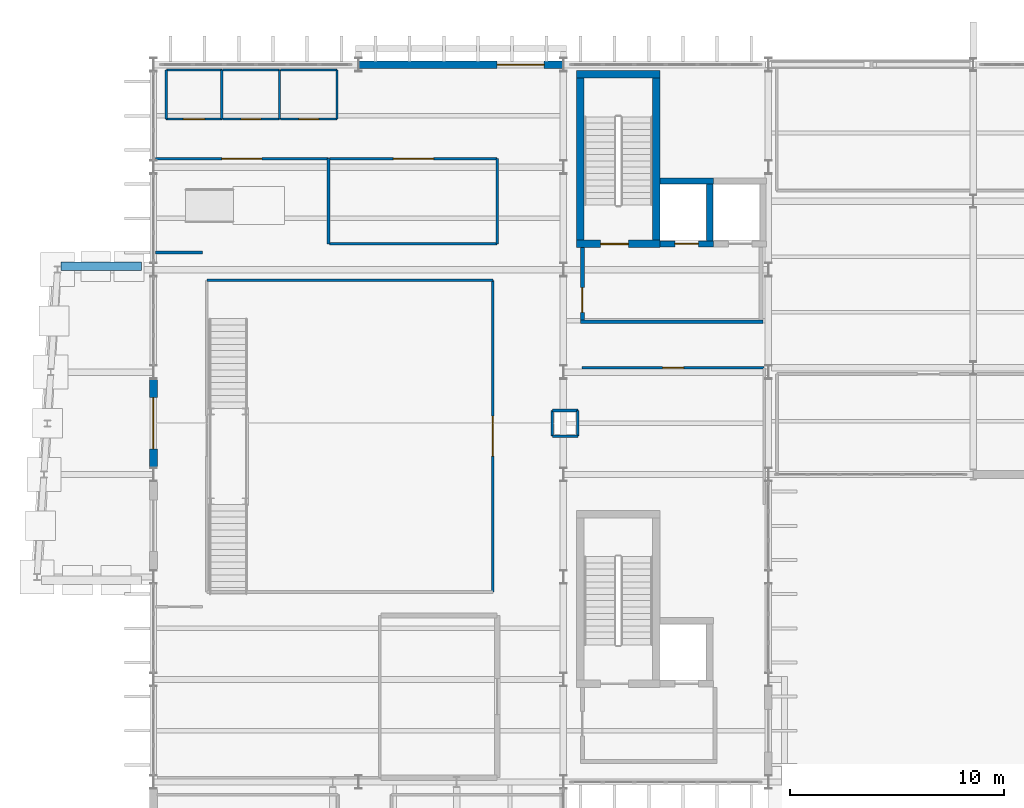
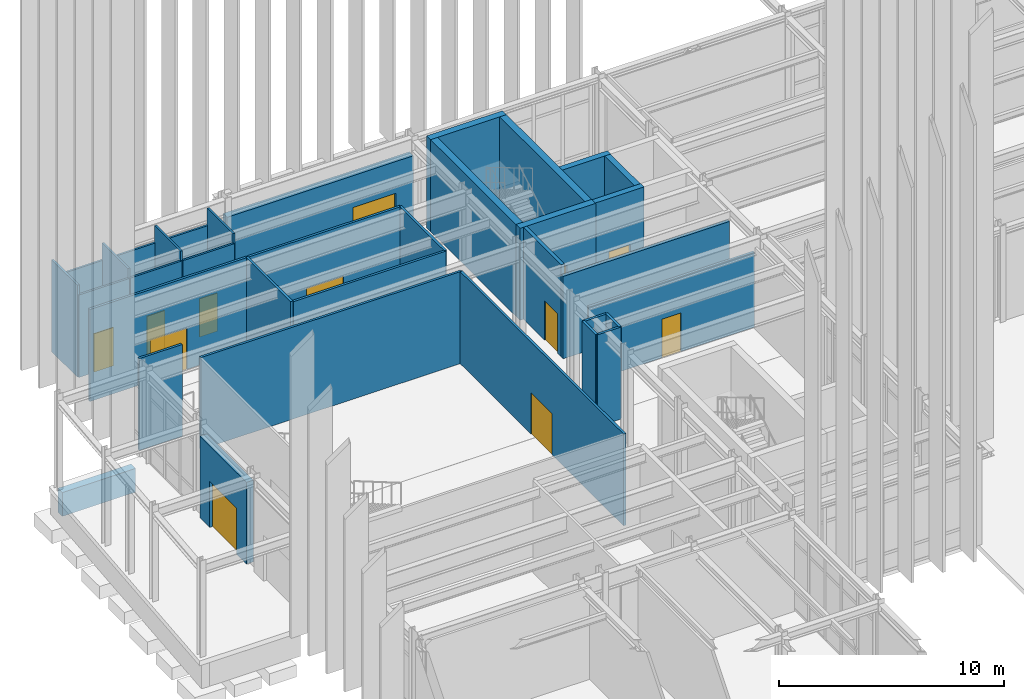
# One storey, part 91 of 109: 35 walls, 12 doors, 12 openings.
"""IFC4 building model written with IfcOpenShell, lengths in metres."""

from ifc_helpers import new_model, si_unit, direction, frame, frame_2d, origin, place, context, subcontext, project, spatial, rectangle, extrude, material, layer, layer_set, type_object, element, fill, save


model = new_model("IFC4")

# Units and contexts
model_context = context("Model", 3, precision=1e-05, world=origin(), true_north=direction((0.0, 1.0)))
body_context = subcontext(model_context, "Body", "Model", "MODEL_VIEW")
ifc_project = project(units=[si_unit("LENGTHUNIT", "METRE"), si_unit("AREAUNIT", "SQUARE_METRE"), si_unit("VOLUMEUNIT", "CUBIC_METRE"), si_unit("PLANEANGLEUNIT", "RADIAN"), si_unit("MASSUNIT", "GRAM", prefix="KILO")], contexts=[model_context])

# Site, building, storey
site_placement = place(None, origin())
site = spatial("IfcSite", under=ifc_project, at=site_placement, CompositionType="ELEMENT")
building_placement = place(site_placement, origin())
building = spatial("IfcBuilding", under=site, at=building_placement, Name="Nordkorset Police Headquarters", CompositionType="ELEMENT")
storey_placement = place(building_placement, origin())
storey = spatial("IfcBuildingStorey", under=building, at=storey_placement, Name="L00", CompositionType="ELEMENT", Elevation=0.0)

# Wall
ifc_material_1 = material(Name="Gypsum board", Category="gypsum")
ifc_layer_1 = layer(ifc_material_1, 0.179931640625, Name="Gypsum board")
ifc_layer_set_1 = layer_set([ifc_layer_1], Name="Gypsum board")
wall_type_1 = type_object("IfcWallType", Name="Wall_Comp_180", PredefinedType="PARTITIONING", material=ifc_layer_set_1)
wall_1_placement = place(storey_placement, frame((20.0, 104.760009765625, 0.0), z_axis=(0.0, 0.0, 1.0), x_axis=(1.0, 0.0, 0.0)))
element("IfcWall", 1, at=wall_1_placement, inside=storey, type_object=wall_type_1, Name="Firefighting Lobby EI 60 Wall K1 L00 S", PredefinedType="PARTITIONING", context=body_context, shape_type="SweptSolid", body=[
    extrude(rectangle(XDim=8.550048828125, YDim=0.179931640625, at=frame_2d((4.27490234375, 0.0))), origin(), (0.0, 0.0, 1.0), 4.47998046875),
])

# Wall, opening, door
wall_2_placement = place(storey_placement, frame((20.090087890625, 104.85009765625, 0.0), z_axis=(0.0, 0.0, 1.0), x_axis=(0.0, 1.0, 0.0)))
wall_2 = element("IfcWall", 2, at=wall_2_placement, inside=storey, type_object=wall_type_1, Name="Firefighting Lobby EI 60 Wall K1 L00 W", PredefinedType="PARTITIONING", context=body_context, shape_type="SweptSolid", body=[
    extrude(rectangle(XDim=3.375, YDim=0.179931640625, at=frame_2d((1.6875, 0.0))), origin(), (0.0, 0.0, 1.0), 5.0),
])
opening_1_placement = place(wall_2_placement, frame((0.35009765625, 0.0, 0.0)))
opening_1 = element("IfcOpeningElement", 3, at=opening_1_placement, cuts=wall_2, Name="Opening DR-01", PredefinedType="OPENING", context=body_context, shape_type="SweptSolid", body=[
    extrude(rectangle(XDim=1.14990234375, YDim=2.14990234375, at=frame_2d((0.574951171875, 1.074951171875))), frame((0.0, 0.10009765625, 0.0), z_axis=(0.0, -1.0, 0.0), x_axis=(1.0, 0.0, 0.0)), (0.0, 0.0, 1.0), 0.199951171875),
])
ifc_material_2 = material(Name="Steel S355J2", Category="steel")
door_type_1 = type_object("IfcDoorType", Name="Door_LobbySingle_1150x2150", OperationType="NOTDEFINED", PredefinedType="DOOR", material=ifc_material_2)
door_1_placement = place(opening_1_placement, origin())
door_1 = element("IfcDoor", 4, at=door_1_placement, inside=storey, type_object=door_type_1, Name="Firefighting Lobby Smoke Door K1 L00 W", OperationType="SINGLE_SWING_LEFT", OverallHeight=2.14990234375, OverallWidth=1.14990234375, PredefinedType="DOOR", context=body_context, shape_type="SweptSolid", body=[
    extrude(rectangle(XDim=1.14990234375, YDim=2.14990234375, at=frame_2d((0.574951171875, 1.074951171875))), frame((0.0, 0.02490234375, 0.0), z_axis=(0.0, -1.0, 0.0), x_axis=(1.0, 0.0, 0.0)), (0.0, 0.0, 1.0), 0.050048828125),
])
fill(opening_1, door_1)

ifc_material_3 = material(Name="Concrete C35/45", Category="concrete")
ifc_layer_2 = layer(ifc_material_3, 0.35009765625, Name="Concrete C35/45")
ifc_layer_set_2 = layer_set([ifc_layer_2], Name="Concrete C35/45")
wall_type_2 = type_object("IfcWallType", Name="Wall_CoreShear_350", PredefinedType="SHEAR", material=ifc_layer_set_2)
wall_3_placement = place(storey_placement, frame((19.824951171875, 108.39990234375, 0.0), z_axis=(0.0, 0.0, 1.0), x_axis=(1.0, 0.0, 0.0)))
wall_3 = element("IfcWall", 5, at=wall_3_placement, inside=storey, type_object=wall_type_2, Name="Core K1 Stair Shaft South Shear Wall L00", PredefinedType="SHEAR", context=body_context, shape_type="SweptSolid", body=[
    extrude(rectangle(XDim=3.900146484375, YDim=0.35009765625, at=frame_2d((1.9501953125, 0.0))), origin(), (0.0, 0.0, 1.0), 5.0),
])
opening_2_placement = place(wall_3_placement, frame((1.125, 0.0, 0.0)))
opening_2 = element("IfcOpeningElement", 6, at=opening_2_placement, cuts=wall_3, Name="Opening DR-20", PredefinedType="OPENING", context=body_context, shape_type="SweptSolid", body=[
    extrude(rectangle(XDim=1.300048828125, YDim=2.14990234375, at=frame_2d((0.64990234375, 1.074951171875))), frame((0.0, 0.18505859375, 0.0), z_axis=(0.0, -1.0, 0.0), x_axis=(1.0, 0.0, 0.0)), (0.0, 0.0, 1.0), 0.3701171875),
])
ifc_material_4 = material(Name="Steel S355J2", Category="steel")
door_type_2 = type_object("IfcDoorType", Name="Door_Stair_1300x2150", OperationType="NOTDEFINED", PredefinedType="DOOR", material=ifc_material_4)
door_2_placement = place(opening_2_placement, origin())
door_2 = element("IfcDoor", 7, at=door_2_placement, inside=storey, type_object=door_type_2, Name="Protected Stair Fire Door ST-01 L00", OperationType="SINGLE_SWING_LEFT", OverallHeight=2.14990234375, OverallWidth=1.300048828125, PredefinedType="DOOR", context=body_context, shape_type="SweptSolid", body=[
    extrude(rectangle(XDim=1.300048828125, YDim=2.14990234375, at=frame_2d((0.64990234375, 1.074951171875))), frame((0.0, 0.02490234375, 0.0), z_axis=(0.0, -1.0, 0.0), x_axis=(1.0, 0.0, 0.0)), (0.0, 0.0, 1.0), 0.050048828125),
])
fill(opening_2, door_2)

# Walls
wall_4_placement = place(storey_placement, frame((19.824951171875, 116.35009765625, 0.0), z_axis=(0.0, 0.0, 1.0), x_axis=(1.0, 0.0, 0.0)))
element("IfcWall", 8, at=wall_4_placement, inside=storey, type_object=wall_type_2, Name="Core K1 Stair Shaft North Shear Wall L00", PredefinedType="SHEAR", context=body_context, shape_type="SweptSolid", body=[
    extrude(rectangle(XDim=3.900146484375, YDim=0.35009765625, at=frame_2d((1.9501953125, 0.0))), origin(), (0.0, 0.0, 1.0), 5.0),
])
for number, where, z_axis, x_axis, name in (
    (9, (20.0, 108.574951171875, 0.0), (0.0, 0.0, 1.0), (0.0, 1.0, 0.0), "Core K1 Stair Shaft West Shear Wall L00"),
    (10, (23.550048828125, 108.574951171875, 0.0), (0.0, 0.0, 1.0), (0.0, 1.0, 0.0), "Core K1 Stair Shaft East Shear Wall L00"),
):
    element("IfcWall", number, at=place(storey_placement, frame(where, z_axis=z_axis, x_axis=x_axis)), inside=storey, type_object=wall_type_2, Name=name, PredefinedType="SHEAR", context=body_context, shape_type="SweptSolid", body=[
        extrude(rectangle(XDim=7.60009765625, YDim=0.35009765625, at=frame_2d((3.800048828125, 0.0))), origin(), (0.0, 0.0, 1.0), 5.0),
    ])

# Wall, opening, door
ifc_material_5 = material(Name="Precast concrete C40/50", Category="concrete")
ifc_layer_3 = layer(ifc_material_5, 0.360107421875, Name="Precast concrete C40/50")
ifc_layer_set_3 = layer_set([ifc_layer_3], Name="Precast concrete C40/50")
wall_type_3 = type_object("IfcWallType", Name="Wall_ExtPrecast_360", PredefinedType="SOLIDWALL", material=ifc_layer_set_3)
wall_5_placement = place(storey_placement, frame((0.0, 97.927001953125, 0.0), z_axis=(0.0, 0.0, 1.0), x_axis=(0.0, 1.0, 0.0)))
wall_5 = element("IfcWall", 11, at=wall_5_placement, inside=storey, type_object=wall_type_3, Name="Exterior Insulated Precast Wall L00 V1W-3", PredefinedType="SOLIDWALL", context=body_context, shape_type="SweptSolid", body=[
    extrude(rectangle(XDim=4.14599609375, YDim=0.360107421875, at=frame_2d((2.072998046875, 0.0))), origin(), (0.0, 0.0, 1.0), 4.43994140625),
])
opening_3_placement = place(wall_5_placement, frame((0.873046875, 0.0, 0.0)))
opening_3 = element("IfcOpeningElement", 12, at=opening_3_placement, cuts=wall_5, Name="Opening ED-02", PredefinedType="OPENING", context=body_context, shape_type="SweptSolid", body=[
    extrude(rectangle(XDim=2.39990234375, YDim=2.5, at=frame_2d((1.199951171875, 1.25))), frame((0.0, 0.18994140625, 0.0), z_axis=(0.0, -1.0, 0.0), x_axis=(1.0, 0.0, 0.0)), (0.0, 0.0, 1.0), 0.380126953125),
])
ifc_material_6 = material(Name="Aluminium alloy AW-6060", Category="aluminium")
door_type_3 = type_object("IfcDoorType", Name="ExtDoor_MainPublic_2400x2500", OperationType="DOUBLE_DOOR_SINGLE_SWING", PredefinedType="DOOR", material=ifc_material_6)
door_3_placement = place(opening_3_placement, origin())
door_3 = element("IfcDoor", 13, at=door_3_placement, inside=storey, type_object=door_type_3, Name="Main Public Forecourt Entrance Door ED-02", OperationType="SINGLE_SWING_LEFT", OverallHeight=2.5, OverallWidth=2.39990234375, PredefinedType="DOOR", context=body_context, shape_type="SweptSolid", body=[
    extrude(rectangle(XDim=2.39990234375, YDim=2.5, at=frame_2d((1.199951171875, 1.25))), frame((0.0, 0.02490234375, 0.0), z_axis=(0.0, -1.0, 0.0), x_axis=(1.0, 0.0, 0.0)), (0.0, 0.0, 1.0), 0.050048828125),
])
fill(opening_3, door_3)

wall_6_placement = place(storey_placement, frame((9.610107421875, 116.800048828125, 0.0), z_axis=(0.0, 0.0, 1.0), x_axis=(1.0, 0.0, 0.0)))
wall_6 = element("IfcWall", 14, at=wall_6_placement, inside=storey, type_object=wall_type_3, Name="Exterior Insulated Precast Wall L00 V1N-1", PredefinedType="SOLIDWALL", context=body_context, shape_type="SweptSolid", body=[
    extrude(rectangle(XDim=9.579833984375, YDim=0.360107421875, at=frame_2d((4.7900390625, 0.0))), origin(), (0.0, 0.0, 1.0), 4.080078125),
])
opening_4_placement = place(wall_6_placement, frame((6.489990234375, 0.0, 0.0)))
opening_4 = element("IfcOpeningElement", 15, at=opening_4_placement, cuts=wall_6, Name="Opening ED-03", PredefinedType="OPENING", context=body_context, shape_type="SweptSolid", body=[
    extrude(rectangle(XDim=2.199951171875, YDim=2.35009765625, at=frame_2d((1.10009765625, 1.175048828125))), frame((0.0, 0.18994140625, 0.0), z_axis=(0.0, -1.0, 0.0), x_axis=(1.0, 0.0, 0.0)), (0.0, 0.0, 1.0), 0.380126953125),
])
ifc_material_7 = material(Name="Aluminium alloy AW-6060", Category="aluminium")
door_type_4 = type_object("IfcDoorType", Name="ExtDoor_CivicExit_2200x2350", OperationType="DOUBLE_DOOR_SINGLE_SWING", PredefinedType="DOOR", material=ifc_material_7)
door_4_placement = place(opening_4_placement, origin())
door_4 = element("IfcDoor", 16, at=door_4_placement, inside=storey, type_object=door_type_4, Name="North Boulevard Final Exit Door ED-03", OperationType="SINGLE_SWING_LEFT", OverallHeight=2.35009765625, OverallWidth=2.199951171875, PredefinedType="DOOR", context=body_context, shape_type="SweptSolid", body=[
    extrude(rectangle(XDim=2.199951171875, YDim=2.35009765625, at=frame_2d((1.10009765625, 1.175048828125))), frame((0.0, 0.02490234375, 0.0), z_axis=(0.0, -1.0, 0.0), x_axis=(1.0, 0.0, 0.0)), (0.0, 0.0, 1.0), 0.050048828125),
])
fill(opening_4, door_4)

ifc_material_8 = material(Name="Gypsum board", Category="gypsum")
ifc_layer_4 = layer(ifc_material_8, 0.10009765625, Name="Gypsum board")
ifc_layer_set_4 = layer_set([ifc_layer_4], Name="Gypsum board")
wall_type_4 = type_object("IfcWallType", Name="Wall_Part_100", PredefinedType="PARTITIONING", material=ifc_layer_set_4)
wall_7_placement = place(storey_placement, frame((0.60009765625, 114.25, 0.0), z_axis=(0.0, 0.0, 1.0), x_axis=(1.0, 0.0, 0.0)))
wall_7 = element("IfcWall", 17, at=wall_7_placement, inside=storey, type_object=wall_type_4, Name="Interior Partition Wall Accessible WC L00W", PredefinedType="PARTITIONING", context=body_context, shape_type="SweptSolid", body=[
    extrude(rectangle(XDim=2.599853515625, YDim=0.10009765625, at=frame_2d((1.2998046875, 0.0))), origin(), (0.0, 0.0, 1.0), 4.47998046875),
])
opening_5_placement = place(wall_7_placement, frame((0.800048828125, 0.0, 0.0)))
opening_5 = element("IfcOpeningElement", 18, at=opening_5_placement, cuts=wall_7, Name="Opening DR-23", PredefinedType="OPENING", context=body_context, shape_type="SweptSolid", body=[
    extrude(rectangle(XDim=1.0, YDim=2.080078125, at=frame_2d((0.5, 1.0400390625))), frame((0.0, 0.06005859375, 0.0), z_axis=(0.0, -1.0, 0.0), x_axis=(1.0, 0.0, 0.0)), (0.0, 0.0, 1.0), 0.1201171875),
])
ifc_material_9 = material(Name="Glulam GL30c", Category="wood")
door_type_5 = type_object("IfcDoorType", Name="Door_WCAccess_1000x2080", OperationType="NOTDEFINED", PredefinedType="DOOR", material=ifc_material_9)
door_5_placement = place(opening_5_placement, frame((1.0, 0.0, 0.0), z_axis=(0.0, 0.0, 1.0), x_axis=(-1.0, 0.0, 0.0)))
door_5 = element("IfcDoor", 19, at=door_5_placement, inside=storey, type_object=door_type_5, Name="Interior Door Accessible WC L00W", OperationType="SINGLE_SWING_LEFT", OverallHeight=2.080078125, OverallWidth=1.0, PredefinedType="DOOR", context=body_context, shape_type="SweptSolid", body=[
    extrude(rectangle(XDim=1.0, YDim=2.080078125, at=frame_2d((0.5, 1.0400390625))), frame((0.0, 0.02490234375, 0.0), z_axis=(0.0, -1.0, 0.0), x_axis=(1.0, 0.0, 0.0)), (0.0, 0.0, 1.0), 0.050048828125),
])
fill(opening_5, door_5)

# Walls
wall_8_placement = place(storey_placement, frame((3.199951171875, 114.25, 0.0), z_axis=(0.0, 0.0, 1.0), x_axis=(0.0, 1.0, 0.0)))
element("IfcWall", 20, at=wall_8_placement, inside=storey, type_object=wall_type_4, Name="Interior Partition Wall Accessible WC L00W", PredefinedType="PARTITIONING", context=body_context, shape_type="SweptSolid", body=[
    extrude(rectangle(XDim=2.300048828125, YDim=0.10009765625, at=frame_2d((1.14990234375, 0.0))), origin(), (0.0, 0.0, 1.0), 5.0),
])
wall_9_placement = place(storey_placement, frame((3.199951171875, 116.550048828125, 0.0), z_axis=(0.0, 0.0, 1.0), x_axis=(-1.0, 0.0, 0.0)))
element("IfcWall", 21, at=wall_9_placement, inside=storey, type_object=wall_type_4, Name="Interior Partition Wall Accessible WC L00W", PredefinedType="PARTITIONING", context=body_context, shape_type="SweptSolid", body=[
    extrude(rectangle(XDim=2.599853515625, YDim=0.10009765625, at=frame_2d((1.2998046875, 0.0))), origin(), (0.0, 0.0, 1.0), 4.080078125),
])
wall_10_placement = place(storey_placement, frame((0.60009765625, 116.550048828125, 0.0), z_axis=(0.0, 0.0, 1.0), x_axis=(0.0, -1.0, 0.0)))
element("IfcWall", 22, at=wall_10_placement, inside=storey, type_object=wall_type_4, Name="Interior Partition Wall Accessible WC L00W", PredefinedType="PARTITIONING", context=body_context, shape_type="SweptSolid", body=[
    extrude(rectangle(XDim=2.300048828125, YDim=0.10009765625, at=frame_2d((1.14990234375, 0.0))), origin(), (0.0, 0.0, 1.0), 5.0),
])

# Wall, opening, door
wall_11_placement = place(storey_placement, frame((3.2451171875, 114.25, 0.0), z_axis=(0.0, 0.0, 1.0), x_axis=(1.0, 0.0, 0.0)))
wall_11 = element("IfcWall", 23, at=wall_11_placement, inside=storey, type_object=wall_type_4, Name="Interior Partition Wall Staff Female WC L00W", PredefinedType="PARTITIONING", context=body_context, shape_type="SweptSolid", body=[
    extrude(rectangle(XDim=2.65478515625, YDim=0.10009765625, at=frame_2d((1.327392578125, 0.0))), origin(), (0.0, 0.0, 1.0), 4.47998046875),
])
opening_6_placement = place(wall_11_placement, frame((0.867431640625, 0.0, 0.0)))
opening_6 = element("IfcOpeningElement", 24, at=opening_6_placement, cuts=wall_11, Name="Opening DR-21", PredefinedType="OPENING", context=body_context, shape_type="SweptSolid", body=[
    extrude(rectangle(XDim=0.919921875, YDim=2.080078125, at=frame_2d((0.4599609375, 1.0400390625))), frame((0.0, 0.06005859375, 0.0), z_axis=(0.0, -1.0, 0.0), x_axis=(1.0, 0.0, 0.0)), (0.0, 0.0, 1.0), 0.1201171875),
])
ifc_material_10 = material(Name="Glulam GL30c", Category="wood")
door_type_6 = type_object("IfcDoorType", Name="Door_WCStaff_920x2080", OperationType="NOTDEFINED", PredefinedType="DOOR", material=ifc_material_10)
door_6_placement = place(opening_6_placement, origin())
door_6 = element("IfcDoor", 25, at=door_6_placement, inside=storey, type_object=door_type_6, Name="Interior Door Staff Female WC L00W", OperationType="SINGLE_SWING_RIGHT", OverallHeight=2.080078125, OverallWidth=0.919921875, PredefinedType="DOOR", context=body_context, shape_type="SweptSolid", body=[
    extrude(rectangle(XDim=0.919921875, YDim=2.080078125, at=frame_2d((0.4599609375, 1.0400390625))), frame((0.0, 0.02490234375, 0.0), z_axis=(0.0, -1.0, 0.0), x_axis=(1.0, 0.0, 0.0)), (0.0, 0.0, 1.0), 0.050048828125),
])
fill(opening_6, door_6)

# Walls
wall_12_placement = place(storey_placement, frame((5.89990234375, 114.25, 0.0), z_axis=(0.0, 0.0, 1.0), x_axis=(0.0, 1.0, 0.0)))
element("IfcWall", 26, at=wall_12_placement, inside=storey, type_object=wall_type_4, Name="Interior Partition Wall Staff Female WC L00W", PredefinedType="PARTITIONING", context=body_context, shape_type="SweptSolid", body=[
    extrude(rectangle(XDim=2.300048828125, YDim=0.10009765625, at=frame_2d((1.14990234375, 0.0))), origin(), (0.0, 0.0, 1.0), 5.0),
])
wall_13_placement = place(storey_placement, frame((5.89990234375, 116.550048828125, 0.0), z_axis=(0.0, 0.0, 1.0), x_axis=(-1.0, 0.0, 0.0)))
element("IfcWall", 27, at=wall_13_placement, inside=storey, type_object=wall_type_4, Name="Interior Partition Wall Staff Female WC L00W", PredefinedType="PARTITIONING", context=body_context, shape_type="SweptSolid", body=[
    extrude(rectangle(XDim=2.65478515625, YDim=0.10009765625, at=frame_2d((1.327392578125, 0.0))), origin(), (0.0, 0.0, 1.0), 4.080078125),
])

# Wall, opening, door
wall_14_placement = place(storey_placement, frame((5.945068359375, 114.25, 0.0), z_axis=(0.0, 0.0, 1.0), x_axis=(1.0, 0.0, 0.0)))
wall_14 = element("IfcWall", 28, at=wall_14_placement, inside=storey, type_object=wall_type_4, Name="Interior Partition Wall Staff Male WC L00W", PredefinedType="PARTITIONING", context=body_context, shape_type="SweptSolid", body=[
    extrude(rectangle(XDim=2.655029296875, YDim=0.10009765625, at=frame_2d((1.32763671875, 0.0))), origin(), (0.0, 0.0, 1.0), 4.47998046875),
])
opening_7_placement = place(wall_14_placement, frame((0.867431640625, 0.0, 0.0)))
opening_7 = element("IfcOpeningElement", 29, at=opening_7_placement, cuts=wall_14, Name="Opening DR-21", PredefinedType="OPENING", context=body_context, shape_type="SweptSolid", body=[
    extrude(rectangle(XDim=0.919921875, YDim=2.080078125, at=frame_2d((0.4599609375, 1.0400390625))), frame((0.0, 0.06005859375, 0.0), z_axis=(0.0, -1.0, 0.0), x_axis=(1.0, 0.0, 0.0)), (0.0, 0.0, 1.0), 0.1201171875),
])
door_7_placement = place(opening_7_placement, frame((0.919921875, 0.0, 0.0), z_axis=(0.0, 0.0, 1.0), x_axis=(-1.0, 0.0, 0.0)))
door_7 = element("IfcDoor", 30, at=door_7_placement, inside=storey, type_object=door_type_6, Name="Interior Door Staff Male WC L00W", OperationType="SINGLE_SWING_LEFT", OverallHeight=2.080078125, OverallWidth=0.919921875, PredefinedType="DOOR", context=body_context, shape_type="SweptSolid", body=[
    extrude(rectangle(XDim=0.919921875, YDim=2.080078125, at=frame_2d((0.4599609375, 1.0400390625))), frame((0.0, 0.02490234375, 0.0), z_axis=(0.0, -1.0, 0.0), x_axis=(1.0, 0.0, 0.0)), (0.0, 0.0, 1.0), 0.050048828125),
])
fill(opening_7, door_7)

# Walls
wall_15_placement = place(storey_placement, frame((8.60009765625, 114.25, 0.0), z_axis=(0.0, 0.0, 1.0), x_axis=(0.0, 1.0, 0.0)))
element("IfcWall", 31, at=wall_15_placement, inside=storey, type_object=wall_type_4, Name="Interior Partition Wall Staff Male WC L00W", PredefinedType="PARTITIONING", context=body_context, shape_type="SweptSolid", body=[
    extrude(rectangle(XDim=2.300048828125, YDim=0.10009765625, at=frame_2d((1.14990234375, 0.0))), origin(), (0.0, 0.0, 1.0), 5.0),
])
wall_16_placement = place(storey_placement, frame((8.60009765625, 116.550048828125, 0.0), z_axis=(0.0, 0.0, 1.0), x_axis=(-1.0, 0.0, 0.0)))
element("IfcWall", 32, at=wall_16_placement, inside=storey, type_object=wall_type_4, Name="Interior Partition Wall Staff Male WC L00W", PredefinedType="PARTITIONING", context=body_context, shape_type="SweptSolid", body=[
    extrude(rectangle(XDim=2.655029296875, YDim=0.10009765625, at=frame_2d((1.32763671875, 0.0))), origin(), (0.0, 0.0, 1.0), 4.080078125),
])

# Wall, opening, door
ifc_material_11 = material(Name="Gypsum board", Category="gypsum")
ifc_layer_5 = layer(ifc_material_11, 0.1201171875, Name="Gypsum board")
ifc_layer_set_5 = layer_set([ifc_layer_5], Name="Gypsum board")
wall_type_5 = type_object("IfcWallType", Name="Wall_Part_120", PredefinedType="PARTITIONING", material=ifc_layer_set_5)
wall_17_placement = place(storey_placement, frame((15.89990234375, 92.10009765625, 0.0), z_axis=(0.0, 0.0, 1.0), x_axis=(0.0, 1.0, 0.0)))
wall_17 = element("IfcWall", 33, at=wall_17_placement, inside=storey, type_object=wall_type_5, Name="Interior Partition Wall Public Entrance Hall", PredefinedType="PARTITIONING", context=body_context, shape_type="SweptSolid", body=[
    extrude(rectangle(XDim=14.599853515625, YDim=0.1201171875, at=frame_2d((7.2998046875, 0.0))), origin(), (0.0, 0.0, 1.0), 5.0),
])
opening_8_placement = place(wall_17_placement, frame((6.360107421875, 0.0, 0.0)))
opening_8 = element("IfcOpeningElement", 34, at=opening_8_placement, cuts=wall_17, Name="Opening DR-05", PredefinedType="OPENING", context=body_context, shape_type="SweptSolid", body=[
    extrude(rectangle(XDim=1.8798828125, YDim=2.25, at=frame_2d((0.93994140625, 1.125))), frame((0.0, 0.070068359375, 0.0), z_axis=(0.0, -1.0, 0.0), x_axis=(1.0, 0.0, 0.0)), (0.0, 0.0, 1.0), 0.14013671875),
])
ifc_material_12 = material(Name="Aluminium alloy AW-6060", Category="aluminium")
door_type_7 = type_object("IfcDoorType", Name="Door_HallDouble_1880x2250", OperationType="DOUBLE_DOOR_SINGLE_SWING", PredefinedType="DOOR", material=ifc_material_12)
door_8_placement = place(opening_8_placement, origin())
door_8 = element("IfcDoor", 35, at=door_8_placement, inside=storey, type_object=door_type_7, Name="Interior Door Public Entrance Hall", OperationType="DOUBLE_DOOR_SINGLE_SWING", OverallHeight=2.25, OverallWidth=1.8798828125, PredefinedType="DOOR", context=body_context, shape_type="SweptSolid", body=[
    extrude(rectangle(XDim=1.8798828125, YDim=2.25, at=frame_2d((0.93994140625, 1.125))), frame((0.0, 0.02490234375, 0.0), z_axis=(0.0, -1.0, 0.0), x_axis=(1.0, 0.0, 0.0)), (0.0, 0.0, 1.0), 0.050048828125),
])
fill(opening_8, door_8)

# Walls
wall_18_placement = place(storey_placement, frame((15.89990234375, 106.699951171875, 0.0), z_axis=(0.0, 0.0, 1.0), x_axis=(-1.0, 0.0, 0.0)))
element("IfcWall", 36, at=wall_18_placement, inside=storey, type_object=wall_type_5, Name="Interior Partition Wall Public Entrance Hall", PredefinedType="PARTITIONING", context=body_context, shape_type="SweptSolid", body=[
    extrude(rectangle(XDim=13.39990234375, YDim=0.1201171875, at=frame_2d((6.699951171875, 0.0))), origin(), (0.0, 0.0, 1.0), 5.0),
])
wall_19_placement = place(storey_placement, frame((2.300048828125, 108.0, 0.0), z_axis=(0.0, 0.0, 1.0), x_axis=(-1.0, 0.0, 0.0)))
element("IfcWall", 37, at=wall_19_placement, inside=storey, type_object=wall_type_5, Name="Interior Partition Wall Public Entrance Foyer", PredefinedType="PARTITIONING", context=body_context, shape_type="SweptSolid", body=[
    extrude(rectangle(XDim=2.215087890625, YDim=0.1201171875, at=frame_2d((1.107421875, 0.0))), origin(), (0.0, 0.0, 1.0), 5.0),
])
wall_20_placement = place(storey_placement, frame((8.199951171875, 108.39990234375, 0.0), z_axis=(0.0, 0.0, 1.0), x_axis=(0.0, 1.0, 0.0)))
element("IfcWall", 38, at=wall_20_placement, inside=storey, type_object=wall_type_5, Name="Interior Partition Wall Press and Media Briefing Hall", PredefinedType="PARTITIONING", context=body_context, shape_type="SweptSolid", body=[
    extrude(rectangle(XDim=4.0, YDim=0.1201171875, at=frame_2d((2.0, 0.0))), origin(), (0.0, 0.0, 1.0), 5.0),
])

# Wall, opening, door
wall_21_placement = place(storey_placement, frame((8.199951171875, 112.39990234375, 0.0), z_axis=(0.0, 0.0, 1.0), x_axis=(-1.0, 0.0, 0.0)))
wall_21 = element("IfcWall", 39, at=wall_21_placement, inside=storey, type_object=wall_type_5, Name="Interior Partition Wall Press and Media Briefing Hall", PredefinedType="PARTITIONING", context=body_context, shape_type="SweptSolid", body=[
    extrude(rectangle(XDim=8.114990234375, YDim=0.1201171875, at=frame_2d((4.0576171875, 0.0))), origin(), (0.0, 0.0, 1.0), 5.0),
])
opening_9_placement = place(wall_21_placement, frame((3.117431640625, 0.0, 0.0)))
opening_9 = element("IfcOpeningElement", 40, at=opening_9_placement, cuts=wall_21, Name="Opening DR-05", PredefinedType="OPENING", context=body_context, shape_type="SweptSolid", body=[
    extrude(rectangle(XDim=1.8798828125, YDim=2.25, at=frame_2d((0.93994140625, 1.125))), frame((0.0, 0.070068359375, 0.0), z_axis=(0.0, -1.0, 0.0), x_axis=(1.0, 0.0, 0.0)), (0.0, 0.0, 1.0), 0.14013671875),
])
door_9_placement = place(opening_9_placement, origin())
door_9 = element("IfcDoor", 41, at=door_9_placement, inside=storey, type_object=door_type_7, Name="Interior Door Press and Media Briefing Hall", OperationType="DOUBLE_DOOR_SINGLE_SWING", OverallHeight=2.25, OverallWidth=1.8798828125, PredefinedType="DOOR", context=body_context, shape_type="SweptSolid", body=[
    extrude(rectangle(XDim=1.8798828125, YDim=2.25, at=frame_2d((0.93994140625, 1.125))), frame((0.0, 0.02490234375, 0.0), z_axis=(0.0, -1.0, 0.0), x_axis=(1.0, 0.0, 0.0)), (0.0, 0.0, 1.0), 0.050048828125),
])
fill(opening_9, door_9)

# Walls
wall_22_placement = place(storey_placement, frame((8.2548828125, 108.39990234375, 0.0), z_axis=(0.0, 0.0, 1.0), x_axis=(1.0, 0.0, 0.0)))
element("IfcWall", 42, at=wall_22_placement, inside=storey, type_object=wall_type_5, Name="Interior Partition Wall Visitor Security Screening Vestibule", PredefinedType="PARTITIONING", context=body_context, shape_type="SweptSolid", body=[
    extrude(rectangle(XDim=7.84521484375, YDim=0.1201171875, at=frame_2d((3.922607421875, 0.0))), origin(), (0.0, 0.0, 1.0), 5.0),
])
wall_23_placement = place(storey_placement, frame((16.10009765625, 108.39990234375, 0.0), z_axis=(0.0, 0.0, 1.0), x_axis=(0.0, 1.0, 0.0)))
element("IfcWall", 43, at=wall_23_placement, inside=storey, type_object=wall_type_5, Name="Interior Partition Wall Visitor Security Screening Vestibule", PredefinedType="PARTITIONING", context=body_context, shape_type="SweptSolid", body=[
    extrude(rectangle(XDim=4.0, YDim=0.1201171875, at=frame_2d((2.0, 0.0))), origin(), (0.0, 0.0, 1.0), 5.0),
])

# Wall, opening, door
wall_24_placement = place(storey_placement, frame((16.10009765625, 112.39990234375, 0.0), z_axis=(0.0, 0.0, 1.0), x_axis=(-1.0, 0.0, 0.0)))
wall_24 = element("IfcWall", 44, at=wall_24_placement, inside=storey, type_object=wall_type_5, Name="Interior Partition Wall Visitor Security Screening Vestibule", PredefinedType="PARTITIONING", context=body_context, shape_type="SweptSolid", body=[
    extrude(rectangle(XDim=7.84521484375, YDim=0.1201171875, at=frame_2d((3.922607421875, 0.0))), origin(), (0.0, 0.0, 1.0), 5.0),
])
opening_10_placement = place(wall_24_placement, frame((2.982421875, 0.0, 0.0)))
opening_10 = element("IfcOpeningElement", 45, at=opening_10_placement, cuts=wall_24, Name="Opening DR-05", PredefinedType="OPENING", context=body_context, shape_type="SweptSolid", body=[
    extrude(rectangle(XDim=1.8798828125, YDim=2.25, at=frame_2d((0.93994140625, 1.125))), frame((0.0, 0.070068359375, 0.0), z_axis=(0.0, -1.0, 0.0), x_axis=(1.0, 0.0, 0.0)), (0.0, 0.0, 1.0), 0.14013671875),
])
door_10_placement = place(opening_10_placement, origin())
door_10 = element("IfcDoor", 46, at=door_10_placement, inside=storey, type_object=door_type_7, Name="Interior Door Visitor Security Screening Vestibule", OperationType="DOUBLE_DOOR_SINGLE_SWING", OverallHeight=2.25, OverallWidth=1.8798828125, PredefinedType="DOOR", context=body_context, shape_type="SweptSolid", body=[
    extrude(rectangle(XDim=1.8798828125, YDim=2.25, at=frame_2d((0.93994140625, 1.125))), frame((0.0, 0.02490234375, 0.0), z_axis=(0.0, -1.0, 0.0), x_axis=(1.0, 0.0, 0.0)), (0.0, 0.0, 1.0), 0.050048828125),
])
fill(opening_10, door_10)

wall_25_placement = place(storey_placement, frame((28.60009765625, 102.60009765625, 0.0), z_axis=(0.0, 0.0, 1.0), x_axis=(-1.0, 0.0, 0.0)))
wall_25 = element("IfcWall", 47, at=wall_25_placement, inside=storey, type_object=wall_type_5, Name="Interior Partition Wall Station Duty Officer Desk", PredefinedType="PARTITIONING", context=body_context, shape_type="SweptSolid", body=[
    extrude(rectangle(XDim=8.52001953125, YDim=0.1201171875, at=frame_2d((4.260009765625, 0.0))), origin(), (0.0, 0.0, 1.0), 4.080078125),
])
opening_11_placement = place(wall_25_placement, frame((3.77001953125, 0.0, 0.0)))
opening_11 = element("IfcOpeningElement", 48, at=opening_11_placement, cuts=wall_25, Name="Opening DR-18", PredefinedType="OPENING", context=body_context, shape_type="SweptSolid", body=[
    extrude(rectangle(XDim=0.97998046875, YDim=2.10009765625, at=frame_2d((0.489990234375, 1.050048828125))), frame((0.0, 0.070068359375, 0.0), z_axis=(0.0, -1.0, 0.0), x_axis=(1.0, 0.0, 0.0)), (0.0, 0.0, 1.0), 0.14013671875),
])
ifc_material_13 = material(Name="Glulam GL30c", Category="wood")
door_type_8 = type_object("IfcDoorType", Name="Door_Office_980x2100", OperationType="NOTDEFINED", PredefinedType="DOOR", material=ifc_material_13)
door_11_placement = place(opening_11_placement, frame((0.97998046875, 0.0, 0.0), z_axis=(0.0, 0.0, 1.0), x_axis=(-1.0, 0.0, 0.0)))
door_11 = element("IfcDoor", 49, at=door_11_placement, inside=storey, type_object=door_type_8, Name="Interior Door Station Duty Officer Desk", OperationType="SINGLE_SWING_RIGHT", OverallHeight=2.10009765625, OverallWidth=0.97998046875, PredefinedType="DOOR", context=body_context, shape_type="SweptSolid", body=[
    extrude(rectangle(XDim=0.97998046875, YDim=2.10009765625, at=frame_2d((0.489990234375, 1.050048828125))), frame((0.0, 0.02490234375, 0.0), z_axis=(0.0, -1.0, 0.0), x_axis=(1.0, 0.0, 0.0)), (0.0, 0.0, 1.0), 0.050048828125),
])
fill(opening_11, door_11)

# Walls
ifc_material_14 = material(Name="Concrete C40/50", Category="concrete")
ifc_layer_6 = layer(ifc_material_14, 0.39990234375, Name="Concrete C40/50")
ifc_layer_set_6 = layer_set([ifc_layer_6], Name="Concrete C40/50")
wall_type_6 = type_object("IfcWallType", Name="Wall_Retaining_400", PredefinedType="USERDEFINED", material=ifc_layer_set_6)
wall_26_placement = place(storey_placement, frame((-4.320068359375, 107.35009765625, -1.550048828125), z_axis=(0.0, 0.0, 1.0), x_axis=(1.0, 0.0, 0.0)))
element("IfcWall", 50, at=wall_26_placement, inside=storey, type_object=wall_type_6, Name="Forecourt Frost-Skirt Foundation Wall FSK-CAN-N", ObjectType="RETAINING WALL", PredefinedType="USERDEFINED", context=body_context, shape_type="SweptSolid", body=[
    extrude(rectangle(XDim=3.760009765625, YDim=0.39990234375, at=frame_2d((1.8798828125, 0.0))), origin(), (0.0, 0.0, 1.0), 1.2900390625),
])
ifc_material_15 = material(Name="Gypsum board", Category="gypsum")
ifc_layer_7 = layer(ifc_material_15, 0.125, Name="Gypsum board")
ifc_layer_set_7 = layer_set([ifc_layer_7], Name="Gypsum board")
wall_type_7 = type_object("IfcWallType", Name="Wall_Riser_125", PredefinedType="PARTITIONING", material=ifc_layer_set_7)
wall_27_placement = place(storey_placement, frame((18.679931640625, 99.39990234375, 0.0), z_axis=(0.0, 0.0, 1.0), x_axis=(1.0, 0.0, 0.0)))
element("IfcWall", 51, at=wall_27_placement, inside=storey, type_object=wall_type_7, Name="Service Riser Enclosure RSR-V1 L00", PredefinedType="PARTITIONING", context=body_context, shape_type="SweptSolid", body=[
    extrude(rectangle(XDim=1.199951171875, YDim=0.125, at=frame_2d((0.60009765625, 0.0))), origin(), (0.0, 0.0, 1.0), 5.0),
])
wall_28_placement = place(storey_placement, frame((19.8798828125, 99.39990234375, 0.0), z_axis=(0.0, 0.0, 1.0), x_axis=(0.0, 1.0, 0.0)))
element("IfcWall", 52, at=wall_28_placement, inside=storey, type_object=wall_type_7, Name="Service Riser Enclosure RSR-V1 L00", PredefinedType="PARTITIONING", context=body_context, shape_type="SweptSolid", body=[
    extrude(rectangle(XDim=1.2001953125, YDim=0.125, at=frame_2d((0.60009765625, 0.0))), origin(), (0.0, 0.0, 1.0), 5.0),
])
wall_29_placement = place(storey_placement, frame((19.8798828125, 100.60009765625, 0.0), z_axis=(0.0, 0.0, 1.0), x_axis=(-1.0, 0.0, 0.0)))
element("IfcWall", 53, at=wall_29_placement, inside=storey, type_object=wall_type_7, Name="Service Riser Enclosure RSR-V1 L00", PredefinedType="PARTITIONING", context=body_context, shape_type="SweptSolid", body=[
    extrude(rectangle(XDim=1.199951171875, YDim=0.125, at=frame_2d((0.60009765625, 0.0))), origin(), (0.0, 0.0, 1.0), 5.0),
])
wall_30_placement = place(storey_placement, frame((18.679931640625, 100.60009765625, 0.0), z_axis=(0.0, 0.0, 1.0), x_axis=(0.0, -1.0, 0.0)))
element("IfcWall", 54, at=wall_30_placement, inside=storey, type_object=wall_type_7, Name="Service Riser Enclosure RSR-V1 L00", PredefinedType="PARTITIONING", context=body_context, shape_type="SweptSolid", body=[
    extrude(rectangle(XDim=1.2001953125, YDim=0.125, at=frame_2d((0.60009765625, 0.0))), origin(), (0.0, 0.0, 1.0), 5.0),
])

# Wall, opening, door
ifc_material_16 = material(Name="Concrete C35/45", Category="concrete")
ifc_layer_8 = layer(ifc_material_16, 0.300048828125, Name="Concrete C35/45")
ifc_layer_set_8 = layer_set([ifc_layer_8], Name="Concrete C35/45")
wall_type_8 = type_object("IfcWallType", Name="Wall_ShaftShear_300", PredefinedType="SHEAR", material=ifc_layer_set_8)
wall_31_placement = place(storey_placement, frame((23.72509765625, 108.39990234375, 0.0), z_axis=(0.0, 0.0, 1.0), x_axis=(1.0, 0.0, 0.0)))
wall_31 = element("IfcWall", 55, at=wall_31_placement, inside=storey, type_object=wall_type_8, Name="Lift Shaft LF-01 Front Shear Wall L00", PredefinedType="SHEAR", context=body_context, shape_type="SweptSolid", body=[
    extrude(rectangle(XDim=2.5, YDim=0.300048828125, at=frame_2d((1.25, 0.0))), origin(), (0.0, 0.0, 1.0), 5.0),
])
opening_12_placement = place(wall_31_placement, frame((0.699951171875, 0.0, 0.0)))
opening_12 = element("IfcOpeningElement", 56, at=opening_12_placement, cuts=wall_31, Name="Opening LD-01", PredefinedType="OPENING", context=body_context, shape_type="SweptSolid", body=[
    extrude(rectangle(XDim=1.10009765625, YDim=2.10009765625, at=frame_2d((0.550048828125, 1.050048828125))), frame((0.0, 0.16015625, 0.0), z_axis=(0.0, -1.0, 0.0), x_axis=(1.0, 0.0, 0.0)), (0.0, 0.0, 1.0), 0.320068359375),
])
ifc_material_17 = material(Name="Steel S355J2", Category="steel")
door_type_9 = type_object("IfcDoorType", Name="Door_LiftLanding_1100x2100", OperationType="SLIDING_TO_LEFT", PredefinedType="DOOR", material=ifc_material_17)
door_12_placement = place(opening_12_placement, frame((1.10009765625, 0.0, 0.0), z_axis=(0.0, 0.0, 1.0), x_axis=(-1.0, 0.0, 0.0)))
door_12 = element("IfcDoor", 57, at=door_12_placement, inside=storey, type_object=door_type_9, Name="Lift Landing Sliding Door LF-01 L00", OperationType="SLIDING_TO_LEFT", OverallHeight=2.10009765625, OverallWidth=1.10009765625, PredefinedType="DOOR", context=body_context, shape_type="SweptSolid", body=[
    extrude(rectangle(XDim=1.10009765625, YDim=2.10009765625, at=frame_2d((0.550048828125, 1.050048828125))), frame((0.0, 0.02490234375, 0.0), z_axis=(0.0, -1.0, 0.0), x_axis=(1.0, 0.0, 0.0)), (0.0, 0.0, 1.0), 0.050048828125),
])
fill(opening_12, door_12)

# Walls
wall_32_placement = place(storey_placement, frame((23.72509765625, 111.35009765625, 0.0), z_axis=(0.0, 0.0, 1.0), x_axis=(1.0, 0.0, 0.0)))
element("IfcWall", 58, at=wall_32_placement, inside=storey, type_object=wall_type_8, Name="Lift Shaft LF-01 Rear Shear Wall L00", PredefinedType="SHEAR", context=body_context, shape_type="SweptSolid", body=[
    extrude(rectangle(XDim=2.5, YDim=0.300048828125, at=frame_2d((1.25, 0.0))), origin(), (0.0, 0.0, 1.0), 5.0),
])
wall_33_placement = place(storey_placement, frame((26.050048828125, 108.550048828125, 0.0), z_axis=(0.0, 0.0, 1.0), x_axis=(0.0, 1.0, 0.0)))
element("IfcWall", 59, at=wall_33_placement, inside=storey, type_object=wall_type_8, Name="Lift Shaft LF-01 East Shear Wall L00", PredefinedType="SHEAR", context=body_context, shape_type="SweptSolid", body=[
    extrude(rectangle(XDim=2.64990234375, YDim=0.300048828125, at=frame_2d((1.324951171875, 0.0))), origin(), (0.0, 0.0, 1.0), 5.0),
])

save(model, "model.ifc")
